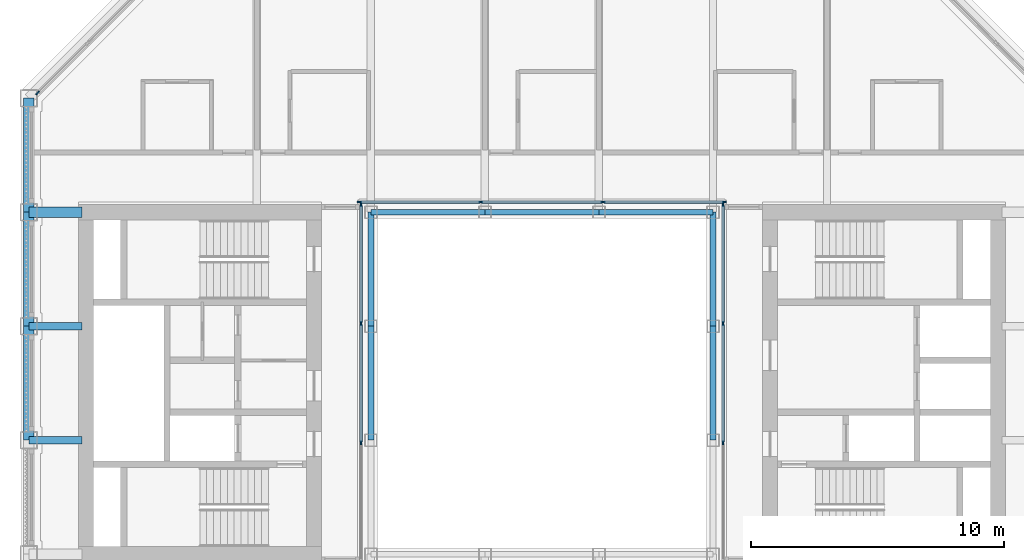
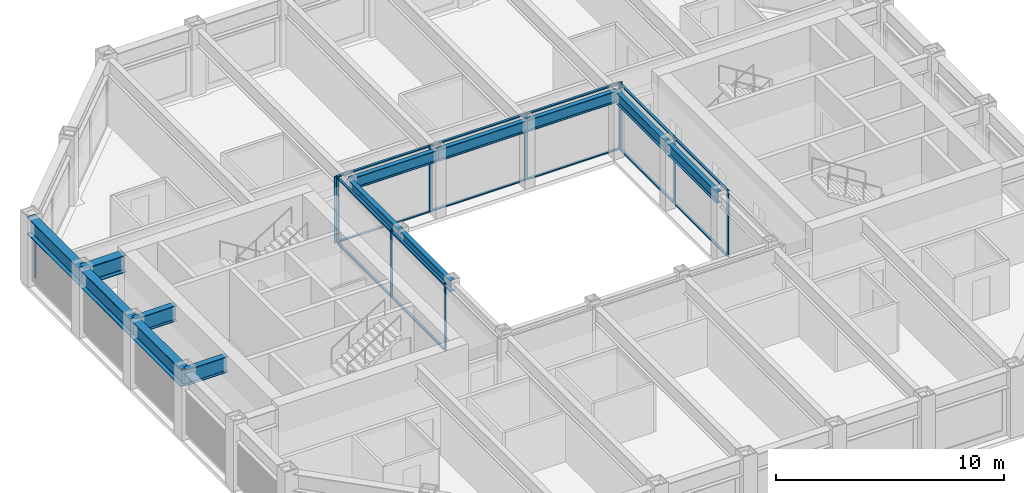
# One storey, part 4 of 16: 25 members, 13 beams, 4 elements without a shape of their own.
"""IFC4 building model written with IfcOpenShell, lengths in metres."""

from ifc_helpers import new_model, si_unit, direction, frame, origin, origin_2d, place, context, subcontext, project, spatial, rectangle, i_section, extrude, material, material_profile, profile_set, type_object, element, aggregate, save


model = new_model("IFC4")

# Units and contexts
model_context = context("Model", 3, precision=1e-05, world=origin(), true_north=direction((0.0, 1.0)))
body_context = subcontext(model_context, "Body", "Model", "MODEL_VIEW")
ifc_project = project(units=[si_unit("LENGTHUNIT", "METRE"), si_unit("AREAUNIT", "SQUARE_METRE"), si_unit("VOLUMEUNIT", "CUBIC_METRE"), si_unit("PLANEANGLEUNIT", "RADIAN"), si_unit("MASSUNIT", "GRAM", prefix="KILO")], contexts=[model_context])

# Site, building, storey
site_placement = place(None, origin())
site = spatial("IfcSite", under=ifc_project, at=site_placement, CompositionType="ELEMENT")
building_placement = place(site_placement, origin())
building = spatial("IfcBuilding", under=site, at=building_placement, Name="Msasa Ring Tower", CompositionType="ELEMENT")
storey_placement = place(building_placement, frame((0.0, 0.0, 219.550048828125)))
storey = spatial("IfcBuildingStorey", under=building, at=storey_placement, Name="L57", CompositionType="ELEMENT", Elevation=219.550048828125)

# Curtain wall, member
ifc_material_1 = material(Name="Aluminium curtain wall with clear glass", Category="aluminium")
curtain_wall_type_1 = type_object("IfcCurtainWallType", Name="CW-C CHAMFER CORNER CURTAIN WALL", PredefinedType="NOTDEFINED", material=ifc_material_1)
curtain_wall_1_placement = place(storey_placement, origin())
curtain_wall_1 = element("IfcCurtainWall", 1, at=curtain_wall_1_placement, inside=storey, type_object=curtain_wall_type_1, Name="Chamfer corner curtain wall NW L57", PredefinedType="NOTDEFINED")
ifc_material_2 = material(Name="Aluminium mullion", Category="aluminium")
ifc_material_profile_1 = material_profile(ifc_material_2, rectangle(XDim=0.06494140625, YDim=0.179931640625, at=origin_2d()), Name="AL 65x180")
ifc_profile_set_1 = profile_set([ifc_material_profile_1], Name="Aluminium mullion")
member_type_1 = type_object("IfcMemberType", Name="CW-C MULLION 65x180", PredefinedType="MULLION", material=ifc_profile_set_1)
member_1_placement = place(storey_placement, frame((-19.9052734375, 11.453369140625, 0.0), z_axis=(0.0, 0.0, 1.0), x_axis=(0.707106781187, -0.707106781187, 0.0)))
member_1 = element("IfcMember", 2, at=member_1_placement, type_object=member_type_1, Name="CW-C mullion 3", PredefinedType="MULLION", context=body_context, shape_type="SweptSolid", body=[
    extrude(rectangle(XDim=0.06494140625, YDim=0.179931640625, at=origin_2d()), origin(), (0.0, 0.0, 1.0), 2.62890625),
])
aggregate(curtain_wall_1, [member_1])

# Curtain wall, members
ifc_material_3 = material(Name="Aluminium curtain wall with clear glass", Category="aluminium")
curtain_wall_type_2 = type_object("IfcCurtainWallType", Name="CW-W LIGHT WELL CURTAIN WALL", PredefinedType="NOTDEFINED", material=ifc_material_3)
curtain_wall_2_placement = place(storey_placement, origin())
curtain_wall_2 = element("IfcCurtainWall", 3, at=curtain_wall_2_placement, inside=storey, type_object=curtain_wall_type_2, Name="Light well curtain wall N L57", PredefinedType="NOTDEFINED")
ifc_material_4 = material(Name="Aluminium mullion", Category="aluminium")
ifc_material_profile_2 = material_profile(ifc_material_4, rectangle(XDim=0.06005859375, YDim=0.159912109375, at=origin_2d()), Name="AL 60x160")
ifc_profile_set_2 = profile_set([ifc_material_profile_2], Name="Aluminium mullion")
member_type_2 = type_object("IfcMemberType", Name="CW-W MULLION 60x160", PredefinedType="MULLION", material=ifc_profile_set_2)
member_2_placement = place(storey_placement, frame((-7.199951171875, 7.14990234375, 0.0), z_axis=(0.0, 0.0, 1.0), x_axis=(0.0, 1.0, 0.0)))
member_2 = element("IfcMember", 4, at=member_2_placement, type_object=member_type_2, Name="CW-W mullion 1", PredefinedType="MULLION", context=body_context, shape_type="SweptSolid", body=[
    extrude(rectangle(XDim=0.06005859375, YDim=0.159912109375, at=origin_2d()), origin(), (0.0, 0.0, 1.0), 3.550048828125),
])
member_3_placement = place(storey_placement, frame((-2.409912109375, 7.14990234375, 0.0), z_axis=(0.0, 0.0, 1.0), x_axis=(0.0, 1.0, 0.0)))
member_3 = element("IfcMember", 5, at=member_3_placement, type_object=member_type_2, Name="CW-W mullion 2", PredefinedType="MULLION", context=body_context, shape_type="SweptSolid", body=[
    extrude(rectangle(XDim=0.06005859375, YDim=0.159912109375, at=origin_2d()), origin(), (0.0, 0.0, 1.0), 3.550048828125),
])
member_4_placement = place(storey_placement, frame((2.409912109375, 7.14990234375, 0.0), z_axis=(0.0, 0.0, 1.0), x_axis=(0.0, 1.0, 0.0)))
member_4 = element("IfcMember", 6, at=member_4_placement, type_object=member_type_2, Name="CW-W mullion 3", PredefinedType="MULLION", context=body_context, shape_type="SweptSolid", body=[
    extrude(rectangle(XDim=0.06005859375, YDim=0.159912109375, at=origin_2d()), origin(), (0.0, 0.0, 1.0), 3.550048828125),
])
member_5_placement = place(storey_placement, frame((7.199951171875, 7.14990234375, 0.0), z_axis=(0.0, 0.0, 1.0), x_axis=(0.0, 1.0, 0.0)))
member_5 = element("IfcMember", 7, at=member_5_placement, type_object=member_type_2, Name="CW-W mullion 4", PredefinedType="MULLION", context=body_context, shape_type="SweptSolid", body=[
    extrude(rectangle(XDim=0.06005859375, YDim=0.159912109375, at=origin_2d()), origin(), (0.0, 0.0, 1.0), 3.550048828125),
])

curtain_wall_3_placement = place(storey_placement, origin())
curtain_wall_3 = element("IfcCurtainWall", 8, at=curtain_wall_3_placement, inside=storey, type_object=curtain_wall_type_2, Name="Light well curtain wall E L57", PredefinedType="NOTDEFINED")
member_6_placement = place(storey_placement, frame((7.14990234375, -2.356689453125, 0.0), z_axis=(0.0, 0.0, 1.0), x_axis=(-1.0, 0.0, 0.0)))
member_6 = element("IfcMember", 9, at=member_6_placement, type_object=member_type_2, Name="CW-W mullion 2", PredefinedType="MULLION", context=body_context, shape_type="SweptSolid", body=[
    extrude(rectangle(XDim=0.06005859375, YDim=0.159912109375, at=origin_2d()), origin(), (0.0, 0.0, 1.0), 3.550048828125),
])
member_7_placement = place(storey_placement, frame((7.14990234375, 2.356689453125, 0.0), z_axis=(0.0, 0.0, 1.0), x_axis=(-1.0, 0.0, 0.0)))
member_7 = element("IfcMember", 10, at=member_7_placement, type_object=member_type_2, Name="CW-W mullion 3", PredefinedType="MULLION", context=body_context, shape_type="SweptSolid", body=[
    extrude(rectangle(XDim=0.06005859375, YDim=0.159912109375, at=origin_2d()), origin(), (0.0, 0.0, 1.0), 3.550048828125),
])
member_8_placement = place(storey_placement, frame((7.14990234375, 7.0400390625, 0.0), z_axis=(0.0, 0.0, 1.0), x_axis=(-1.0, 0.0, 0.0)))
member_8 = element("IfcMember", 11, at=member_8_placement, type_object=member_type_2, Name="CW-W mullion 4", PredefinedType="MULLION", context=body_context, shape_type="SweptSolid", body=[
    extrude(rectangle(XDim=0.06005859375, YDim=0.159912109375, at=origin_2d()), origin(), (0.0, 0.0, 1.0), 3.550048828125),
])

curtain_wall_4_placement = place(storey_placement, origin())
curtain_wall_4 = element("IfcCurtainWall", 12, at=curtain_wall_4_placement, inside=storey, type_object=curtain_wall_type_2, Name="Light well curtain wall W L57", PredefinedType="NOTDEFINED")
member_9_placement = place(storey_placement, frame((-7.14990234375, -2.356689453125, 0.0), z_axis=(0.0, 0.0, 1.0), x_axis=(-1.0, 0.0, 0.0)))
member_9 = element("IfcMember", 13, at=member_9_placement, type_object=member_type_2, Name="CW-W mullion 2", PredefinedType="MULLION", context=body_context, shape_type="SweptSolid", body=[
    extrude(rectangle(XDim=0.06005859375, YDim=0.159912109375, at=origin_2d()), origin(), (0.0, 0.0, 1.0), 3.550048828125),
])
member_10_placement = place(storey_placement, frame((-7.14990234375, 2.356689453125, 0.0), z_axis=(0.0, 0.0, 1.0), x_axis=(-1.0, 0.0, 0.0)))
member_10 = element("IfcMember", 14, at=member_10_placement, type_object=member_type_2, Name="CW-W mullion 3", PredefinedType="MULLION", context=body_context, shape_type="SweptSolid", body=[
    extrude(rectangle(XDim=0.06005859375, YDim=0.159912109375, at=origin_2d()), origin(), (0.0, 0.0, 1.0), 3.550048828125),
])
member_11_placement = place(storey_placement, frame((-7.14990234375, 7.0400390625, 0.0), z_axis=(0.0, 0.0, 1.0), x_axis=(-1.0, 0.0, 0.0)))
member_11 = element("IfcMember", 15, at=member_11_placement, type_object=member_type_2, Name="CW-W mullion 4", PredefinedType="MULLION", context=body_context, shape_type="SweptSolid", body=[
    extrude(rectangle(XDim=0.06005859375, YDim=0.159912109375, at=origin_2d()), origin(), (0.0, 0.0, 1.0), 3.550048828125),
])

# Member
ifc_material_5 = material(Name="Aluminium transom", Category="aluminium")
ifc_material_profile_3 = material_profile(ifc_material_5, rectangle(XDim=0.1201171875, YDim=0.06005859375, at=origin_2d()), Name="AL 60x120")
ifc_profile_set_3 = profile_set([ifc_material_profile_3], Name="Aluminium transom")
member_type_3 = type_object("IfcMemberType", Name="CW-W TRANSOM 60x120", PredefinedType="USERDEFINED", material=ifc_profile_set_3)
member_12_placement = place(storey_placement, frame((-7.169921875, 7.14990234375, 0.030029296875), z_axis=(1.0, 0.0, 0.0), x_axis=(0.0, 1.0, 0.0)))
member_12 = element("IfcMember", 16, at=member_12_placement, type_object=member_type_3, Name="CW-W transom 1.1", ObjectType="TRANSOM", PredefinedType="USERDEFINED", context=body_context, shape_type="SweptSolid", body=[
    extrude(rectangle(XDim=0.1201171875, YDim=0.06005859375, at=origin_2d()), origin(), (0.0, 0.0, 1.0), 4.72998046875),
])

member_13_placement = place(storey_placement, frame((-7.169921875, 7.14990234375, 3.52001953125), z_axis=(1.0, 0.0, 0.0), x_axis=(0.0, 1.0, 0.0)))
member_13 = element("IfcMember", 17, at=member_13_placement, type_object=member_type_3, Name="CW-W transom 1.2", ObjectType="TRANSOM", PredefinedType="USERDEFINED", context=body_context, shape_type="SweptSolid", body=[
    extrude(rectangle(XDim=0.1201171875, YDim=0.06005859375, at=origin_2d()), origin(), (0.0, 0.0, 1.0), 4.72998046875),
])

member_14_placement = place(storey_placement, frame((-2.3798828125, 7.14990234375, 0.030029296875), z_axis=(1.0, 0.0, 0.0), x_axis=(0.0, 1.0, 0.0)))
member_14 = element("IfcMember", 18, at=member_14_placement, type_object=member_type_3, Name="CW-W transom 2.1", ObjectType="TRANSOM", PredefinedType="USERDEFINED", context=body_context, shape_type="SweptSolid", body=[
    extrude(rectangle(XDim=0.1201171875, YDim=0.06005859375, at=origin_2d()), origin(), (0.0, 0.0, 1.0), 4.759765625),
])

member_15_placement = place(storey_placement, frame((-2.3798828125, 7.14990234375, 3.52001953125), z_axis=(1.0, 0.0, 0.0), x_axis=(0.0, 1.0, 0.0)))
member_15 = element("IfcMember", 19, at=member_15_placement, type_object=member_type_3, Name="CW-W transom 2.2", ObjectType="TRANSOM", PredefinedType="USERDEFINED", context=body_context, shape_type="SweptSolid", body=[
    extrude(rectangle(XDim=0.1201171875, YDim=0.06005859375, at=origin_2d()), origin(), (0.0, 0.0, 1.0), 4.759765625),
])

member_16_placement = place(storey_placement, frame((2.43994140625, 7.14990234375, 0.030029296875), z_axis=(1.0, 0.0, 0.0), x_axis=(0.0, 1.0, 0.0)))
member_16 = element("IfcMember", 20, at=member_16_placement, type_object=member_type_3, Name="CW-W transom 3.1", ObjectType="TRANSOM", PredefinedType="USERDEFINED", context=body_context, shape_type="SweptSolid", body=[
    extrude(rectangle(XDim=0.1201171875, YDim=0.06005859375, at=origin_2d()), origin(), (0.0, 0.0, 1.0), 4.72998046875),
])

member_17_placement = place(storey_placement, frame((2.43994140625, 7.14990234375, 3.52001953125), z_axis=(1.0, 0.0, 0.0), x_axis=(0.0, 1.0, 0.0)))
member_17 = element("IfcMember", 21, at=member_17_placement, type_object=member_type_3, Name="CW-W transom 3.2", ObjectType="TRANSOM", PredefinedType="USERDEFINED", context=body_context, shape_type="SweptSolid", body=[
    extrude(rectangle(XDim=0.1201171875, YDim=0.06005859375, at=origin_2d()), origin(), (0.0, 0.0, 1.0), 4.72998046875),
])

aggregate(curtain_wall_2, [member_2, member_3, member_4, member_5, member_12, member_13, member_14, member_15, member_16, member_17])

member_18_placement = place(storey_placement, frame((7.14990234375, -2.32666015625, 0.030029296875), z_axis=(0.0, 1.0, 0.0), x_axis=(-1.0, 0.0, 0.0)))
member_18 = element("IfcMember", 22, at=member_18_placement, type_object=member_type_3, Name="CW-W transom 2.1", ObjectType="TRANSOM", PredefinedType="USERDEFINED", context=body_context, shape_type="SweptSolid", body=[
    extrude(rectangle(XDim=0.1201171875, YDim=0.06005859375, at=origin_2d()), origin(), (0.0, 0.0, 1.0), 4.6533203125),
])

member_19_placement = place(storey_placement, frame((7.14990234375, -2.32666015625, 3.52001953125), z_axis=(0.0, 1.0, 0.0), x_axis=(-1.0, 0.0, 0.0)))
member_19 = element("IfcMember", 23, at=member_19_placement, type_object=member_type_3, Name="CW-W transom 2.2", ObjectType="TRANSOM", PredefinedType="USERDEFINED", context=body_context, shape_type="SweptSolid", body=[
    extrude(rectangle(XDim=0.1201171875, YDim=0.06005859375, at=origin_2d()), origin(), (0.0, 0.0, 1.0), 4.6533203125),
])

member_20_placement = place(storey_placement, frame((7.14990234375, 2.38671875, 0.030029296875), z_axis=(0.0, 1.0, 0.0), x_axis=(-1.0, 0.0, 0.0)))
member_20 = element("IfcMember", 24, at=member_20_placement, type_object=member_type_3, Name="CW-W transom 3.1", ObjectType="TRANSOM", PredefinedType="USERDEFINED", context=body_context, shape_type="SweptSolid", body=[
    extrude(rectangle(XDim=0.1201171875, YDim=0.06005859375, at=origin_2d()), origin(), (0.0, 0.0, 1.0), 4.623291015625),
])

member_21_placement = place(storey_placement, frame((7.14990234375, 2.38671875, 3.52001953125), z_axis=(0.0, 1.0, 0.0), x_axis=(-1.0, 0.0, 0.0)))
member_21 = element("IfcMember", 25, at=member_21_placement, type_object=member_type_3, Name="CW-W transom 3.2", ObjectType="TRANSOM", PredefinedType="USERDEFINED", context=body_context, shape_type="SweptSolid", body=[
    extrude(rectangle(XDim=0.1201171875, YDim=0.06005859375, at=origin_2d()), origin(), (0.0, 0.0, 1.0), 4.623291015625),
])

aggregate(curtain_wall_3, [member_6, member_7, member_8, member_18, member_19, member_20, member_21])

member_22_placement = place(storey_placement, frame((-7.14990234375, -2.32666015625, 0.030029296875), z_axis=(0.0, 1.0, 0.0), x_axis=(-1.0, 0.0, 0.0)))
member_22 = element("IfcMember", 26, at=member_22_placement, type_object=member_type_3, Name="CW-W transom 2.1", ObjectType="TRANSOM", PredefinedType="USERDEFINED", context=body_context, shape_type="SweptSolid", body=[
    extrude(rectangle(XDim=0.1201171875, YDim=0.06005859375, at=origin_2d()), origin(), (0.0, 0.0, 1.0), 4.6533203125),
])

member_23_placement = place(storey_placement, frame((-7.14990234375, -2.32666015625, 3.52001953125), z_axis=(0.0, 1.0, 0.0), x_axis=(-1.0, 0.0, 0.0)))
member_23 = element("IfcMember", 27, at=member_23_placement, type_object=member_type_3, Name="CW-W transom 2.2", ObjectType="TRANSOM", PredefinedType="USERDEFINED", context=body_context, shape_type="SweptSolid", body=[
    extrude(rectangle(XDim=0.1201171875, YDim=0.06005859375, at=origin_2d()), origin(), (0.0, 0.0, 1.0), 4.6533203125),
])

member_24_placement = place(storey_placement, frame((-7.14990234375, 2.38671875, 0.030029296875), z_axis=(0.0, 1.0, 0.0), x_axis=(-1.0, 0.0, 0.0)))
member_24 = element("IfcMember", 28, at=member_24_placement, type_object=member_type_3, Name="CW-W transom 3.1", ObjectType="TRANSOM", PredefinedType="USERDEFINED", context=body_context, shape_type="SweptSolid", body=[
    extrude(rectangle(XDim=0.1201171875, YDim=0.06005859375, at=origin_2d()), origin(), (0.0, 0.0, 1.0), 4.623291015625),
])

member_25_placement = place(storey_placement, frame((-7.14990234375, 2.38671875, 3.52001953125), z_axis=(0.0, 1.0, 0.0), x_axis=(-1.0, 0.0, 0.0)))
member_25 = element("IfcMember", 29, at=member_25_placement, type_object=member_type_3, Name="CW-W transom 3.2", ObjectType="TRANSOM", PredefinedType="USERDEFINED", context=body_context, shape_type="SweptSolid", body=[
    extrude(rectangle(XDim=0.1201171875, YDim=0.06005859375, at=origin_2d()), origin(), (0.0, 0.0, 1.0), 4.623291015625),
])

aggregate(curtain_wall_4, [member_9, member_10, member_11, member_22, member_23, member_24, member_25])

# Beams
ifc_material_6 = material(Name="Steel S355", Category="steel")
ifc_material_profile_4 = material_profile(ifc_material_6, i_section(OverallWidth=0.293701171875, OverallDepth=0.850830078125, WebThickness=0.01611328125, FlangeThickness=0.02685546875, FilletRadius=0.017822265625, at=origin_2d()), Name="UB 838x292x226")
ifc_profile_set_4 = profile_set([ifc_material_profile_4], Name="Steel S355")
beam_type_1 = type_object("IfcBeamType", Name="FB5 UB 838x292x226", PredefinedType="BEAM", material=ifc_profile_set_4)
for number, where, z_axis, x_axis, name in (
    (30, (-20.25, -2.25, 3.12451171875), (1.0, 0.0, 0.0), (0.0, 1.0, 0.0), "Floor beam W -2.25 under L58"),
    (31, (-20.25, 2.25, 3.12451171875), (1.0, 0.0, 0.0), (0.0, 1.0, 0.0), "Floor beam W +2.25 under L58"),
):
    element("IfcBeam", number, at=place(storey_placement, frame(where, z_axis=z_axis, x_axis=x_axis)), inside=storey, type_object=beam_type_1, Name=name, PredefinedType="BEAM", context=body_context, shape_type="SweptSolid", body=[
        extrude(i_section(OverallWidth=0.293701171875, OverallDepth=0.850830078125, WebThickness=0.01611328125, FlangeThickness=0.02685546875, FilletRadius=0.017822265625, at=origin_2d()), origin(), (0.0, 0.0, 1.0), 2.10009765625),
    ])
ifc_material_7 = material(Name="Steel S355", Category="steel")
ifc_material_profile_5 = material_profile(ifc_material_7, i_section(OverallWidth=0.42041015625, OverallDepth=0.9208984375, WebThickness=0.021484375, FlangeThickness=0.03662109375, FilletRadius=0.024169921875, at=origin_2d()), Name="UB 914x419x388")
ifc_profile_set_5 = profile_set([ifc_material_profile_5], Name="Steel S355")
beam_type_2 = type_object("IfcBeamType", Name="GB1 UB 914x419x388", PredefinedType="BEAM", material=ifc_profile_set_5)
beam_placement = place(storey_placement, frame((-18.14990234375, 6.75, 3.08935546875), z_axis=(-1.0, 0.0, 0.0), x_axis=(0.0, -1.0, 0.0)))
element("IfcBeam", 32, at=beam_placement, inside=storey, type_object=beam_type_2, Name="Girder W +6.75 under L58", PredefinedType="BEAM", context=body_context, shape_type="SweptSolid", body=[
    extrude(i_section(OverallWidth=0.42041015625, OverallDepth=0.9208984375, WebThickness=0.021484375, FlangeThickness=0.03662109375, FilletRadius=0.024169921875, at=origin_2d()), origin(), (0.0, 0.0, 1.0), 2.10009765625),
])
ifc_material_8 = material(Name="Steel S355", Category="steel")
ifc_material_profile_6 = material_profile(ifc_material_8, i_section(OverallWidth=0.230224609375, OverallDepth=0.6171875, WebThickness=0.01318359375, FlangeThickness=0.022216796875, FilletRadius=0.0126953125, at=origin_2d()), Name="UB 610x229x140")
ifc_profile_set_6 = profile_set([ifc_material_profile_6], Name="Steel S355")
beam_type_3 = type_object("IfcBeamType", Name="RB1 UB 610x229x140", PredefinedType="BEAM", material=ifc_profile_set_6)
for number, where, z_axis, x_axis, name in (
    (33, (6.75, -2.25, 3.241455078125), (0.0, 1.0, 0.0), (-1.0, 0.0, 0.0), "Inner ring beam IR+6.75-2.25 under L58"),
    (34, (6.75, 2.25, 3.241455078125), (0.0, 1.0, 0.0), (-1.0, 0.0, 0.0), "Inner ring beam IR+6.75+2.25 under L58"),
    (35, (6.75, 6.75, 3.241455078125), (-1.0, 0.0, 0.0), (0.0, -1.0, 0.0), "Inner ring beam IR+6.75+6.75 under L58"),
    (36, (2.25, 6.75, 3.241455078125), (-1.0, 0.0, 0.0), (0.0, -1.0, 0.0), "Inner ring beam IR+2.25+6.75 under L58"),
    (37, (-2.25, 6.75, 3.241455078125), (-1.0, 0.0, 0.0), (0.0, -1.0, 0.0), "Inner ring beam IR-2.25+6.75 under L58"),
    (38, (-6.75, 6.75, 3.241455078125), (0.0, -1.0, 0.0), (1.0, 0.0, 0.0), "Inner ring beam IR-6.75+6.75 under L58"),
    (39, (-6.75, 2.25, 3.241455078125), (0.0, -1.0, 0.0), (1.0, 0.0, 0.0), "Inner ring beam IR-6.75+2.25 under L58"),
):
    element("IfcBeam", number, at=place(storey_placement, frame(where, z_axis=z_axis, x_axis=x_axis)), inside=storey, type_object=beam_type_3, Name=name, PredefinedType="BEAM", context=body_context, shape_type="SweptSolid", body=[
        extrude(i_section(OverallWidth=0.230224609375, OverallDepth=0.6171875, WebThickness=0.01318359375, FlangeThickness=0.022216796875, FilletRadius=0.0126953125, at=origin_2d()), origin(), (0.0, 0.0, 1.0), 4.5),
    ])
ifc_material_9 = material(Name="Steel S355", Category="steel")
ifc_material_profile_7 = material_profile(ifc_material_9, i_section(OverallWidth=0.42041015625, OverallDepth=0.9208984375, WebThickness=0.021484375, FlangeThickness=0.03662109375, FilletRadius=0.024169921875, at=origin_2d()), Name="UB 914x419x388")
ifc_profile_set_7 = profile_set([ifc_material_profile_7], Name="Steel S355")
beam_type_4 = type_object("IfcBeamType", Name="SB1 UB 914x419x388", PredefinedType="SPANDREL", material=ifc_profile_set_7)
for number, where, z_axis, x_axis, name in (
    (40, (-20.25, 11.25, 3.08935546875), (0.0, -1.0, 0.0), (1.0, 0.0, 0.0), "Spandrel W+11.25 to W+6.75 under L58"),
    (41, (-20.25, 6.75, 3.08935546875), (0.0, -1.0, 0.0), (1.0, 0.0, 0.0), "Spandrel W+6.75 to W+2.25 under L58"),
    (42, (-20.25, 2.25, 3.08935546875), (0.0, -1.0, 0.0), (1.0, 0.0, 0.0), "Spandrel W+2.25 to W-2.25 under L58"),
):
    element("IfcBeam", number, at=place(storey_placement, frame(where, z_axis=z_axis, x_axis=x_axis)), inside=storey, type_object=beam_type_4, Name=name, PredefinedType="SPANDREL", context=body_context, shape_type="SweptSolid", body=[
        extrude(i_section(OverallWidth=0.42041015625, OverallDepth=0.9208984375, WebThickness=0.021484375, FlangeThickness=0.03662109375, FilletRadius=0.024169921875, at=origin_2d()), origin(), (0.0, 0.0, 1.0), 4.5),
    ])

save(model, "model.ifc")
